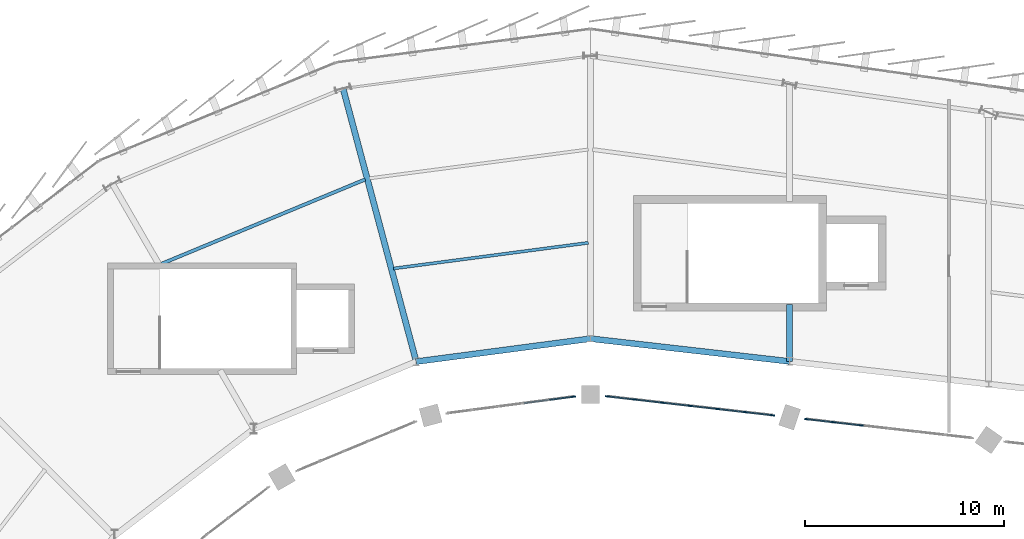
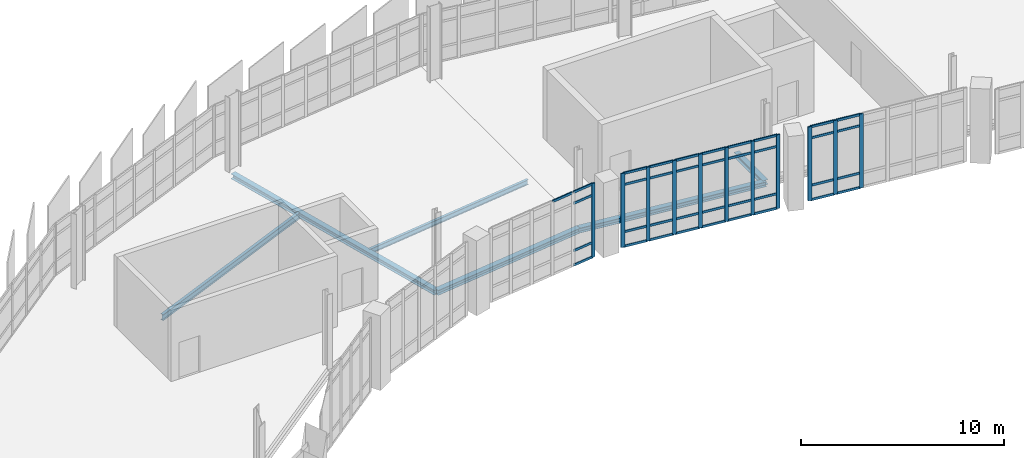
# One storey, part 35 of 67: 48 members, 6 beams, 3 elements without a shape of their own.
"""IFC4 building model written with IfcOpenShell, lengths in metres."""

from ifc_helpers import new_model, si_unit, direction, frame, origin, origin_2d, place, context, subcontext, project, spatial, rectangle, i_section, extrude, material, layer, layer_set, material_profile, profile_set, type_object, element, aggregate, save


model = new_model("IFC4")

# Units and contexts
model_context = context("Model", 3, precision=1e-05, world=origin(), true_north=direction((0.0, 1.0)))
body_context = subcontext(model_context, "Body", "Model", "MODEL_VIEW")
ifc_project = project(units=[si_unit("LENGTHUNIT", "METRE"), si_unit("AREAUNIT", "SQUARE_METRE"), si_unit("VOLUMEUNIT", "CUBIC_METRE"), si_unit("PLANEANGLEUNIT", "RADIAN"), si_unit("MASSUNIT", "GRAM", prefix="KILO")], contexts=[model_context])

# Site, building, storey
site_placement = place(None, origin())
site = spatial("IfcSite", under=ifc_project, at=site_placement, CompositionType="ELEMENT")
building_placement = place(site_placement, origin())
building = spatial("IfcBuilding", under=site, at=building_placement, Name="Sohan Crest Arena", CompositionType="ELEMENT")
storey_placement = place(building_placement, frame((0.0, 0.0, 22.5)))
storey = spatial("IfcBuildingStorey", under=building, at=storey_placement, Name="L05", CompositionType="ELEMENT", Elevation=22.5)

# Curtain wall, member
ifc_material_1 = material(Name="Thermally broken anodised aluminium", Category="aluminium")
ifc_layer = layer(ifc_material_1, 0.18994140625, Name="Thermally broken anodised aluminium")
ifc_layer_set = layer_set([ifc_layer], Name="Thermally broken anodised aluminium")
curtain_wall_type = type_object("IfcCurtainWallType", Name="ARC-CW05", PredefinedType="NOTDEFINED", material=ifc_layer_set)
curtain_wall_1_placement = place(storey_placement, origin())
curtain_wall_1 = element("IfcCurtainWall", 1, at=curtain_wall_1_placement, inside=storey, type_object=curtain_wall_type, Name="Unitised curtain wall CW-164", PredefinedType="NOTDEFINED")
ifc_material_profile_1 = material_profile(ifc_material_1, rectangle(XDim=0.070068359375, YDim=0.199951171875, at=origin_2d()), Name="ALU-MULL 70x200")
ifc_profile_set_1 = profile_set([ifc_material_profile_1], Name="Thermally broken anodised aluminium")
member_type_1 = type_object("IfcMemberType", Name="ARC-CW-ML03", PredefinedType="MULLION", material=ifc_profile_set_1)
member_1_placement = place(storey_placement, frame((97.15234375, 108.888427734375, 0.0), z_axis=(0.0, 0.0, 1.0), x_axis=(0.130498613419, -0.991448491802, 0.0)))
member_1 = element("IfcMember", 2, at=member_1_placement, type_object=member_type_1, Name="CW-164 mullion 1", PredefinedType="MULLION", context=body_context, shape_type="SweptSolid", body=[
    extrude(rectangle(XDim=0.070068359375, YDim=0.199951171875, at=origin_2d()), origin(), (0.0, 0.0, 1.0), 4.449951171875),
])

# Curtain wall, members
curtain_wall_2_placement = place(storey_placement, origin())
curtain_wall_2 = element("IfcCurtainWall", 3, at=curtain_wall_2_placement, inside=storey, type_object=curtain_wall_type, Name="Unitised curtain wall CW-199", PredefinedType="NOTDEFINED")
member_2_placement = place(storey_placement, frame((111.60498046875, 107.445068359375, 0.0), z_axis=(0.0, 0.0, 1.0), x_axis=(-0.11359680696, -0.993526932422, 0.0)))
member_2 = element("IfcMember", 4, at=member_2_placement, type_object=member_type_1, Name="CW-199 mullion 5", PredefinedType="MULLION", context=body_context, shape_type="SweptSolid", body=[
    extrude(rectangle(XDim=0.070068359375, YDim=0.199951171875, at=origin_2d()), origin(), (0.0, 0.0, 1.0), 4.449951171875),
])
member_3_placement = place(storey_placement, frame((110.2099609375, 107.6044921875, 0.0), z_axis=(0.0, 0.0, 1.0), x_axis=(-0.11359680696, -0.993526932422, 0.0)))
member_3 = element("IfcMember", 5, at=member_3_placement, type_object=member_type_1, Name="CW-199 mullion 6", PredefinedType="MULLION", context=body_context, shape_type="SweptSolid", body=[
    extrude(rectangle(XDim=0.070068359375, YDim=0.199951171875, at=origin_2d()), origin(), (0.0, 0.0, 1.0), 4.449951171875),
])
member_4_placement = place(storey_placement, frame((108.849853515625, 107.760009765625, 0.0), z_axis=(0.0, 0.0, 1.0), x_axis=(-0.11359680696, -0.993526932422, 0.0)))
member_4 = element("IfcMember", 6, at=member_4_placement, type_object=member_type_1, Name="CW-199 mullion 7", PredefinedType="MULLION", context=body_context, shape_type="SweptSolid", body=[
    extrude(rectangle(XDim=0.070068359375, YDim=0.199951171875, at=origin_2d()), origin(), (0.0, 0.0, 1.0), 4.449951171875),
])

curtain_wall_3_placement = place(storey_placement, origin())
curtain_wall_3 = element("IfcCurtainWall", 7, at=curtain_wall_3_placement, inside=storey, type_object=curtain_wall_type, Name="Unitised curtain wall CW-200", PredefinedType="NOTDEFINED")
member_5_placement = place(storey_placement, frame((107.150146484375, 107.953857421875, 0.0), z_axis=(0.0, 0.0, 1.0), x_axis=(-0.11359680696, -0.993526932422, 0.0)))
member_5 = element("IfcMember", 8, at=member_5_placement, type_object=member_type_1, Name="CW-200 mullion 1", PredefinedType="MULLION", context=body_context, shape_type="SweptSolid", body=[
    extrude(rectangle(XDim=0.070068359375, YDim=0.199951171875, at=origin_2d()), origin(), (0.0, 0.0, 1.0), 4.449951171875),
])
member_6_placement = place(storey_placement, frame((105.7900390625, 108.109619140625, 0.0), z_axis=(0.0, 0.0, 1.0), x_axis=(-0.11359680696, -0.993526932422, 0.0)))
member_6 = element("IfcMember", 9, at=member_6_placement, type_object=member_type_1, Name="CW-200 mullion 2", PredefinedType="MULLION", context=body_context, shape_type="SweptSolid", body=[
    extrude(rectangle(XDim=0.070068359375, YDim=0.199951171875, at=origin_2d()), origin(), (0.0, 0.0, 1.0), 4.449951171875),
])
member_7_placement = place(storey_placement, frame((104.39501953125, 108.26904296875, 0.0), z_axis=(0.0, 0.0, 1.0), x_axis=(-0.11359680696, -0.993526932422, 0.0)))
member_7 = element("IfcMember", 10, at=member_7_placement, type_object=member_type_1, Name="CW-200 mullion 3", PredefinedType="MULLION", context=body_context, shape_type="SweptSolid", body=[
    extrude(rectangle(XDim=0.070068359375, YDim=0.199951171875, at=origin_2d()), origin(), (0.0, 0.0, 1.0), 4.449951171875),
])
member_8_placement = place(storey_placement, frame((103.0, 108.428466796875, 0.0), z_axis=(0.0, 0.0, 1.0), x_axis=(-0.11359680696, -0.993526932422, 0.0)))
member_8 = element("IfcMember", 11, at=member_8_placement, type_object=member_type_1, Name="CW-200 mullion 4", PredefinedType="MULLION", context=body_context, shape_type="SweptSolid", body=[
    extrude(rectangle(XDim=0.070068359375, YDim=0.199951171875, at=origin_2d()), origin(), (0.0, 0.0, 1.0), 4.449951171875),
])
member_9_placement = place(storey_placement, frame((101.60498046875, 108.587890625, 0.0), z_axis=(0.0, 0.0, 1.0), x_axis=(-0.11359680696, -0.993526932422, 0.0)))
member_9 = element("IfcMember", 12, at=member_9_placement, type_object=member_type_1, Name="CW-200 mullion 5", PredefinedType="MULLION", context=body_context, shape_type="SweptSolid", body=[
    extrude(rectangle(XDim=0.070068359375, YDim=0.199951171875, at=origin_2d()), origin(), (0.0, 0.0, 1.0), 4.449951171875),
])
member_10_placement = place(storey_placement, frame((100.2099609375, 108.74755859375, 0.0), z_axis=(0.0, 0.0, 1.0), x_axis=(-0.11359680696, -0.993526932422, 0.0)))
member_10 = element("IfcMember", 13, at=member_10_placement, type_object=member_type_1, Name="CW-200 mullion 6", PredefinedType="MULLION", context=body_context, shape_type="SweptSolid", body=[
    extrude(rectangle(XDim=0.070068359375, YDim=0.199951171875, at=origin_2d()), origin(), (0.0, 0.0, 1.0), 4.449951171875),
])
member_11_placement = place(storey_placement, frame((98.849853515625, 108.903076171875, 0.0), z_axis=(0.0, 0.0, 1.0), x_axis=(-0.11359680696, -0.993526932422, 0.0)))
member_11 = element("IfcMember", 14, at=member_11_placement, type_object=member_type_1, Name="CW-200 mullion 7", PredefinedType="MULLION", context=body_context, shape_type="SweptSolid", body=[
    extrude(rectangle(XDim=0.070068359375, YDim=0.199951171875, at=origin_2d()), origin(), (0.0, 0.0, 1.0), 4.449951171875),
])

# Member
ifc_material_profile_2 = material_profile(ifc_material_1, rectangle(XDim=0.06494140625, YDim=0.139892578125, at=origin_2d()), Name="ALU-TRAN 65x140")
ifc_profile_set_2 = profile_set([ifc_material_profile_2], Name="Thermally broken anodised aluminium")
member_type_2 = type_object("IfcMemberType", Name="ARC-CW-TR02", PredefinedType="USERDEFINED", material=ifc_profile_set_2)
member_12_placement = place(storey_placement, frame((97.11767578125, 108.8837890625, 0.032470703125), z_axis=(-0.991465507922, -0.130369270153, 0.0), x_axis=(0.130369270153, -0.991465507922, 0.0)))
member_12 = element("IfcMember", 15, at=member_12_placement, type_object=member_type_2, Name="CW-164 transom 1.1", ObjectType="TRANSOM", PredefinedType="USERDEFINED", context=body_context, shape_type="SweptSolid", body=[
    extrude(rectangle(XDim=0.06494140625, YDim=0.139892578125, at=origin_2d()), origin(), (0.0, 0.0, 1.0), 1.185302734375),
])

member_13_placement = place(storey_placement, frame((97.11767578125, 108.8837890625, 0.89990234375), z_axis=(-0.991465507922, -0.130369270153, 0.0), x_axis=(0.130369270153, -0.991465507922, 0.0)))
member_13 = element("IfcMember", 16, at=member_13_placement, type_object=member_type_2, Name="CW-164 transom 1.2", ObjectType="TRANSOM", PredefinedType="USERDEFINED", context=body_context, shape_type="SweptSolid", body=[
    extrude(rectangle(XDim=0.06494140625, YDim=0.139892578125, at=origin_2d()), origin(), (0.0, 0.0, 1.0), 1.185302734375),
])

member_14_placement = place(storey_placement, frame((97.11767578125, 108.8837890625, 3.75), z_axis=(-0.991465507922, -0.130369270153, 0.0), x_axis=(0.130369270153, -0.991465507922, 0.0)))
member_14 = element("IfcMember", 17, at=member_14_placement, type_object=member_type_2, Name="CW-164 transom 1.3", ObjectType="TRANSOM", PredefinedType="USERDEFINED", context=body_context, shape_type="SweptSolid", body=[
    extrude(rectangle(XDim=0.06494140625, YDim=0.139892578125, at=origin_2d()), origin(), (0.0, 0.0, 1.0), 1.185302734375),
])

member_15_placement = place(storey_placement, frame((97.11767578125, 108.8837890625, 4.41748046875), z_axis=(-0.991465507922, -0.130369270153, 0.0), x_axis=(0.130369270153, -0.991465507922, 0.0)))
member_15 = element("IfcMember", 18, at=member_15_placement, type_object=member_type_2, Name="CW-164 transom 1.4", ObjectType="TRANSOM", PredefinedType="USERDEFINED", context=body_context, shape_type="SweptSolid", body=[
    extrude(rectangle(XDim=0.06494140625, YDim=0.139892578125, at=origin_2d()), origin(), (0.0, 0.0, 1.0), 1.185302734375),
])

member_16_placement = place(storey_placement, frame((95.872802734375, 108.719970703125, 4.41748046875), z_axis=(-0.991457018973, -0.130433812827, 0.0), x_axis=(0.130433812827, -0.991457018973, 0.0)))
member_16 = element("IfcMember", 19, at=member_16_placement, type_object=member_type_2, Name="CW-164 transom 2.4", ObjectType="TRANSOM", PredefinedType="USERDEFINED", context=body_context, shape_type="SweptSolid", body=[
    extrude(rectangle(XDim=0.06494140625, YDim=0.139892578125, at=origin_2d()), origin(), (0.0, 0.0, 1.0), 1.220458984375),
])

aggregate(curtain_wall_1, [member_1, member_12, member_13, member_14, member_15, member_16])

member_17_placement = place(storey_placement, frame((111.5703125, 107.448974609375, 0.032470703125), z_axis=(-0.993521460563, 0.113644654082, 0.0), x_axis=(-0.113644654082, -0.993521460563, 0.0)))
member_17 = element("IfcMember", 20, at=member_17_placement, type_object=member_type_2, Name="CW-199 transom 5.1", ObjectType="TRANSOM", PredefinedType="USERDEFINED", context=body_context, shape_type="SweptSolid", body=[
    extrude(rectangle(XDim=0.06494140625, YDim=0.139892578125, at=origin_2d()), origin(), (0.0, 0.0, 1.0), 1.333984375),
])

member_18_placement = place(storey_placement, frame((111.5703125, 107.448974609375, 0.89990234375), z_axis=(-0.993521460563, 0.113644654082, 0.0), x_axis=(-0.113644654082, -0.993521460563, 0.0)))
member_18 = element("IfcMember", 21, at=member_18_placement, type_object=member_type_2, Name="CW-199 transom 5.2", ObjectType="TRANSOM", PredefinedType="USERDEFINED", context=body_context, shape_type="SweptSolid", body=[
    extrude(rectangle(XDim=0.06494140625, YDim=0.139892578125, at=origin_2d()), origin(), (0.0, 0.0, 1.0), 1.333984375),
])

member_19_placement = place(storey_placement, frame((111.5703125, 107.448974609375, 3.75), z_axis=(-0.993521460563, 0.113644654082, 0.0), x_axis=(-0.113644654082, -0.993521460563, 0.0)))
member_19 = element("IfcMember", 22, at=member_19_placement, type_object=member_type_2, Name="CW-199 transom 5.3", ObjectType="TRANSOM", PredefinedType="USERDEFINED", context=body_context, shape_type="SweptSolid", body=[
    extrude(rectangle(XDim=0.06494140625, YDim=0.139892578125, at=origin_2d()), origin(), (0.0, 0.0, 1.0), 1.333984375),
])

member_20_placement = place(storey_placement, frame((111.5703125, 107.448974609375, 4.41748046875), z_axis=(-0.993521460563, 0.113644654082, 0.0), x_axis=(-0.113644654082, -0.993521460563, 0.0)))
member_20 = element("IfcMember", 23, at=member_20_placement, type_object=member_type_2, Name="CW-199 transom 5.4", ObjectType="TRANSOM", PredefinedType="USERDEFINED", context=body_context, shape_type="SweptSolid", body=[
    extrude(rectangle(XDim=0.06494140625, YDim=0.139892578125, at=origin_2d()), origin(), (0.0, 0.0, 1.0), 1.333984375),
])

member_21_placement = place(storey_placement, frame((110.17529296875, 107.6083984375, 0.032470703125), z_axis=(-0.99351630859, 0.113689685398, 0.0), x_axis=(-0.113689685398, -0.99351630859, 0.0)))
member_21 = element("IfcMember", 24, at=member_21_placement, type_object=member_type_2, Name="CW-199 transom 6.1", ObjectType="TRANSOM", PredefinedType="USERDEFINED", context=body_context, shape_type="SweptSolid", body=[
    extrude(rectangle(XDim=0.06494140625, YDim=0.139892578125, at=origin_2d()), origin(), (0.0, 0.0, 1.0), 1.29931640625),
])

member_22_placement = place(storey_placement, frame((110.17529296875, 107.6083984375, 0.89990234375), z_axis=(-0.99351630859, 0.113689685398, 0.0), x_axis=(-0.113689685398, -0.99351630859, 0.0)))
member_22 = element("IfcMember", 25, at=member_22_placement, type_object=member_type_2, Name="CW-199 transom 6.2", ObjectType="TRANSOM", PredefinedType="USERDEFINED", context=body_context, shape_type="SweptSolid", body=[
    extrude(rectangle(XDim=0.06494140625, YDim=0.139892578125, at=origin_2d()), origin(), (0.0, 0.0, 1.0), 1.29931640625),
])

member_23_placement = place(storey_placement, frame((110.17529296875, 107.6083984375, 3.75), z_axis=(-0.99351630859, 0.113689685398, 0.0), x_axis=(-0.113689685398, -0.99351630859, 0.0)))
member_23 = element("IfcMember", 26, at=member_23_placement, type_object=member_type_2, Name="CW-199 transom 6.3", ObjectType="TRANSOM", PredefinedType="USERDEFINED", context=body_context, shape_type="SweptSolid", body=[
    extrude(rectangle(XDim=0.06494140625, YDim=0.139892578125, at=origin_2d()), origin(), (0.0, 0.0, 1.0), 1.29931640625),
])

member_24_placement = place(storey_placement, frame((110.17529296875, 107.6083984375, 4.41748046875), z_axis=(-0.99351630859, 0.113689685398, 0.0), x_axis=(-0.113689685398, -0.99351630859, 0.0)))
member_24 = element("IfcMember", 27, at=member_24_placement, type_object=member_type_2, Name="CW-199 transom 6.4", ObjectType="TRANSOM", PredefinedType="USERDEFINED", context=body_context, shape_type="SweptSolid", body=[
    extrude(rectangle(XDim=0.06494140625, YDim=0.139892578125, at=origin_2d()), origin(), (0.0, 0.0, 1.0), 1.29931640625),
])

aggregate(curtain_wall_2, [member_2, member_3, member_4, member_17, member_18, member_19, member_20, member_21, member_22, member_23, member_24])

member_25_placement = place(storey_placement, frame((107.115478515625, 107.9580078125, 0.032470703125), z_axis=(-0.993537517414, 0.113504191511, 0.0), x_axis=(-0.113504191511, -0.993537517414, 0.0)))
member_25 = element("IfcMember", 28, at=member_25_placement, type_object=member_type_2, Name="CW-200 transom 1.1", ObjectType="TRANSOM", PredefinedType="USERDEFINED", context=body_context, shape_type="SweptSolid", body=[
    extrude(rectangle(XDim=0.06494140625, YDim=0.139892578125, at=origin_2d()), origin(), (0.0, 0.0, 1.0), 1.299072265625),
])

member_26_placement = place(storey_placement, frame((107.115478515625, 107.9580078125, 0.89990234375), z_axis=(-0.993537517414, 0.113504191511, 0.0), x_axis=(-0.113504191511, -0.993537517414, 0.0)))
member_26 = element("IfcMember", 29, at=member_26_placement, type_object=member_type_2, Name="CW-200 transom 1.2", ObjectType="TRANSOM", PredefinedType="USERDEFINED", context=body_context, shape_type="SweptSolid", body=[
    extrude(rectangle(XDim=0.06494140625, YDim=0.139892578125, at=origin_2d()), origin(), (0.0, 0.0, 1.0), 1.299072265625),
])

member_27_placement = place(storey_placement, frame((107.115478515625, 107.9580078125, 3.75), z_axis=(-0.993537517414, 0.113504191511, 0.0), x_axis=(-0.113504191511, -0.993537517414, 0.0)))
member_27 = element("IfcMember", 30, at=member_27_placement, type_object=member_type_2, Name="CW-200 transom 1.3", ObjectType="TRANSOM", PredefinedType="USERDEFINED", context=body_context, shape_type="SweptSolid", body=[
    extrude(rectangle(XDim=0.06494140625, YDim=0.139892578125, at=origin_2d()), origin(), (0.0, 0.0, 1.0), 1.299072265625),
])

member_28_placement = place(storey_placement, frame((107.115478515625, 107.9580078125, 4.41748046875), z_axis=(-0.993537517414, 0.113504191511, 0.0), x_axis=(-0.113504191511, -0.993537517414, 0.0)))
member_28 = element("IfcMember", 31, at=member_28_placement, type_object=member_type_2, Name="CW-200 transom 1.4", ObjectType="TRANSOM", PredefinedType="USERDEFINED", context=body_context, shape_type="SweptSolid", body=[
    extrude(rectangle(XDim=0.06494140625, YDim=0.139892578125, at=origin_2d()), origin(), (0.0, 0.0, 1.0), 1.299072265625),
])

member_29_placement = place(storey_placement, frame((105.755126953125, 108.113525390625, 0.032470703125), z_axis=(-0.993521460563, 0.113644654082, 0.0), x_axis=(-0.113644654082, -0.993521460563, 0.0)))
member_29 = element("IfcMember", 32, at=member_29_placement, type_object=member_type_2, Name="CW-200 transom 2.1", ObjectType="TRANSOM", PredefinedType="USERDEFINED", context=body_context, shape_type="SweptSolid", body=[
    extrude(rectangle(XDim=0.06494140625, YDim=0.139892578125, at=origin_2d()), origin(), (0.0, 0.0, 1.0), 1.333984375),
])

member_30_placement = place(storey_placement, frame((105.755126953125, 108.113525390625, 0.89990234375), z_axis=(-0.993521460563, 0.113644654082, 0.0), x_axis=(-0.113644654082, -0.993521460563, 0.0)))
member_30 = element("IfcMember", 33, at=member_30_placement, type_object=member_type_2, Name="CW-200 transom 2.2", ObjectType="TRANSOM", PredefinedType="USERDEFINED", context=body_context, shape_type="SweptSolid", body=[
    extrude(rectangle(XDim=0.06494140625, YDim=0.139892578125, at=origin_2d()), origin(), (0.0, 0.0, 1.0), 1.333984375),
])

member_31_placement = place(storey_placement, frame((105.755126953125, 108.113525390625, 3.75), z_axis=(-0.993521460563, 0.113644654082, 0.0), x_axis=(-0.113644654082, -0.993521460563, 0.0)))
member_31 = element("IfcMember", 34, at=member_31_placement, type_object=member_type_2, Name="CW-200 transom 2.3", ObjectType="TRANSOM", PredefinedType="USERDEFINED", context=body_context, shape_type="SweptSolid", body=[
    extrude(rectangle(XDim=0.06494140625, YDim=0.139892578125, at=origin_2d()), origin(), (0.0, 0.0, 1.0), 1.333984375),
])

member_32_placement = place(storey_placement, frame((105.755126953125, 108.113525390625, 4.41748046875), z_axis=(-0.993521460563, 0.113644654082, 0.0), x_axis=(-0.113644654082, -0.993521460563, 0.0)))
member_32 = element("IfcMember", 35, at=member_32_placement, type_object=member_type_2, Name="CW-200 transom 2.4", ObjectType="TRANSOM", PredefinedType="USERDEFINED", context=body_context, shape_type="SweptSolid", body=[
    extrude(rectangle(XDim=0.06494140625, YDim=0.139892578125, at=origin_2d()), origin(), (0.0, 0.0, 1.0), 1.333984375),
])

member_33_placement = place(storey_placement, frame((104.360107421875, 108.27294921875, 0.032470703125), z_axis=(-0.993521460563, 0.113644654082, 0.0), x_axis=(-0.113644654082, -0.993521460563, 0.0)))
member_33 = element("IfcMember", 36, at=member_33_placement, type_object=member_type_2, Name="CW-200 transom 3.1", ObjectType="TRANSOM", PredefinedType="USERDEFINED", context=body_context, shape_type="SweptSolid", body=[
    extrude(rectangle(XDim=0.06494140625, YDim=0.139892578125, at=origin_2d()), origin(), (0.0, 0.0, 1.0), 1.333984375),
])

member_34_placement = place(storey_placement, frame((104.360107421875, 108.27294921875, 0.89990234375), z_axis=(-0.993521460563, 0.113644654082, 0.0), x_axis=(-0.113644654082, -0.993521460563, 0.0)))
member_34 = element("IfcMember", 37, at=member_34_placement, type_object=member_type_2, Name="CW-200 transom 3.2", ObjectType="TRANSOM", PredefinedType="USERDEFINED", context=body_context, shape_type="SweptSolid", body=[
    extrude(rectangle(XDim=0.06494140625, YDim=0.139892578125, at=origin_2d()), origin(), (0.0, 0.0, 1.0), 1.333984375),
])

member_35_placement = place(storey_placement, frame((104.360107421875, 108.27294921875, 3.75), z_axis=(-0.993521460563, 0.113644654082, 0.0), x_axis=(-0.113644654082, -0.993521460563, 0.0)))
member_35 = element("IfcMember", 38, at=member_35_placement, type_object=member_type_2, Name="CW-200 transom 3.3", ObjectType="TRANSOM", PredefinedType="USERDEFINED", context=body_context, shape_type="SweptSolid", body=[
    extrude(rectangle(XDim=0.06494140625, YDim=0.139892578125, at=origin_2d()), origin(), (0.0, 0.0, 1.0), 1.333984375),
])

member_36_placement = place(storey_placement, frame((104.360107421875, 108.27294921875, 4.41748046875), z_axis=(-0.993521460563, 0.113644654082, 0.0), x_axis=(-0.113644654082, -0.993521460563, 0.0)))
member_36 = element("IfcMember", 39, at=member_36_placement, type_object=member_type_2, Name="CW-200 transom 3.4", ObjectType="TRANSOM", PredefinedType="USERDEFINED", context=body_context, shape_type="SweptSolid", body=[
    extrude(rectangle(XDim=0.06494140625, YDim=0.139892578125, at=origin_2d()), origin(), (0.0, 0.0, 1.0), 1.333984375),
])

member_37_placement = place(storey_placement, frame((102.96533203125, 108.432373046875, 0.032470703125), z_axis=(-0.993521460563, 0.113644654082, 0.0), x_axis=(-0.113644654082, -0.993521460563, 0.0)))
member_37 = element("IfcMember", 40, at=member_37_placement, type_object=member_type_2, Name="CW-200 transom 4.1", ObjectType="TRANSOM", PredefinedType="USERDEFINED", context=body_context, shape_type="SweptSolid", body=[
    extrude(rectangle(XDim=0.06494140625, YDim=0.139892578125, at=origin_2d()), origin(), (0.0, 0.0, 1.0), 1.333984375),
])

member_38_placement = place(storey_placement, frame((102.96533203125, 108.432373046875, 0.89990234375), z_axis=(-0.993521460563, 0.113644654082, 0.0), x_axis=(-0.113644654082, -0.993521460563, 0.0)))
member_38 = element("IfcMember", 41, at=member_38_placement, type_object=member_type_2, Name="CW-200 transom 4.2", ObjectType="TRANSOM", PredefinedType="USERDEFINED", context=body_context, shape_type="SweptSolid", body=[
    extrude(rectangle(XDim=0.06494140625, YDim=0.139892578125, at=origin_2d()), origin(), (0.0, 0.0, 1.0), 1.333984375),
])

member_39_placement = place(storey_placement, frame((102.96533203125, 108.432373046875, 3.75), z_axis=(-0.993521460563, 0.113644654082, 0.0), x_axis=(-0.113644654082, -0.993521460563, 0.0)))
member_39 = element("IfcMember", 42, at=member_39_placement, type_object=member_type_2, Name="CW-200 transom 4.3", ObjectType="TRANSOM", PredefinedType="USERDEFINED", context=body_context, shape_type="SweptSolid", body=[
    extrude(rectangle(XDim=0.06494140625, YDim=0.139892578125, at=origin_2d()), origin(), (0.0, 0.0, 1.0), 1.333984375),
])

member_40_placement = place(storey_placement, frame((102.96533203125, 108.432373046875, 4.41748046875), z_axis=(-0.993521460563, 0.113644654082, 0.0), x_axis=(-0.113644654082, -0.993521460563, 0.0)))
member_40 = element("IfcMember", 43, at=member_40_placement, type_object=member_type_2, Name="CW-200 transom 4.4", ObjectType="TRANSOM", PredefinedType="USERDEFINED", context=body_context, shape_type="SweptSolid", body=[
    extrude(rectangle(XDim=0.06494140625, YDim=0.139892578125, at=origin_2d()), origin(), (0.0, 0.0, 1.0), 1.333984375),
])

member_41_placement = place(storey_placement, frame((101.5703125, 108.592041015625, 0.032470703125), z_axis=(-0.993542107108, 0.113464009285, 0.0), x_axis=(-0.113464009285, -0.993542107108, 0.0)))
member_41 = element("IfcMember", 44, at=member_41_placement, type_object=member_type_2, Name="CW-200 transom 5.1", ObjectType="TRANSOM", PredefinedType="USERDEFINED", context=body_context, shape_type="SweptSolid", body=[
    extrude(rectangle(XDim=0.06494140625, YDim=0.139892578125, at=origin_2d()), origin(), (0.0, 0.0, 1.0), 1.333984375),
])

member_42_placement = place(storey_placement, frame((101.5703125, 108.592041015625, 0.89990234375), z_axis=(-0.993542107108, 0.113464009285, 0.0), x_axis=(-0.113464009285, -0.993542107108, 0.0)))
member_42 = element("IfcMember", 45, at=member_42_placement, type_object=member_type_2, Name="CW-200 transom 5.2", ObjectType="TRANSOM", PredefinedType="USERDEFINED", context=body_context, shape_type="SweptSolid", body=[
    extrude(rectangle(XDim=0.06494140625, YDim=0.139892578125, at=origin_2d()), origin(), (0.0, 0.0, 1.0), 1.333984375),
])

member_43_placement = place(storey_placement, frame((101.5703125, 108.592041015625, 3.75), z_axis=(-0.993542107108, 0.113464009285, 0.0), x_axis=(-0.113464009285, -0.993542107108, 0.0)))
member_43 = element("IfcMember", 46, at=member_43_placement, type_object=member_type_2, Name="CW-200 transom 5.3", ObjectType="TRANSOM", PredefinedType="USERDEFINED", context=body_context, shape_type="SweptSolid", body=[
    extrude(rectangle(XDim=0.06494140625, YDim=0.139892578125, at=origin_2d()), origin(), (0.0, 0.0, 1.0), 1.333984375),
])

member_44_placement = place(storey_placement, frame((101.5703125, 108.592041015625, 4.41748046875), z_axis=(-0.993542107108, 0.113464009285, 0.0), x_axis=(-0.113464009285, -0.993542107108, 0.0)))
member_44 = element("IfcMember", 47, at=member_44_placement, type_object=member_type_2, Name="CW-200 transom 5.4", ObjectType="TRANSOM", PredefinedType="USERDEFINED", context=body_context, shape_type="SweptSolid", body=[
    extrude(rectangle(XDim=0.06494140625, YDim=0.139892578125, at=origin_2d()), origin(), (0.0, 0.0, 1.0), 1.333984375),
])

member_45_placement = place(storey_placement, frame((100.17529296875, 108.75146484375, 0.032470703125), z_axis=(-0.99351630859, 0.113689685398, 0.0), x_axis=(-0.113689685398, -0.99351630859, 0.0)))
member_45 = element("IfcMember", 48, at=member_45_placement, type_object=member_type_2, Name="CW-200 transom 6.1", ObjectType="TRANSOM", PredefinedType="USERDEFINED", context=body_context, shape_type="SweptSolid", body=[
    extrude(rectangle(XDim=0.06494140625, YDim=0.139892578125, at=origin_2d()), origin(), (0.0, 0.0, 1.0), 1.29931640625),
])

member_46_placement = place(storey_placement, frame((100.17529296875, 108.75146484375, 0.89990234375), z_axis=(-0.99351630859, 0.113689685398, 0.0), x_axis=(-0.113689685398, -0.99351630859, 0.0)))
member_46 = element("IfcMember", 49, at=member_46_placement, type_object=member_type_2, Name="CW-200 transom 6.2", ObjectType="TRANSOM", PredefinedType="USERDEFINED", context=body_context, shape_type="SweptSolid", body=[
    extrude(rectangle(XDim=0.06494140625, YDim=0.139892578125, at=origin_2d()), origin(), (0.0, 0.0, 1.0), 1.29931640625),
])

member_47_placement = place(storey_placement, frame((100.17529296875, 108.75146484375, 3.75), z_axis=(-0.99351630859, 0.113689685398, 0.0), x_axis=(-0.113689685398, -0.99351630859, 0.0)))
member_47 = element("IfcMember", 50, at=member_47_placement, type_object=member_type_2, Name="CW-200 transom 6.3", ObjectType="TRANSOM", PredefinedType="USERDEFINED", context=body_context, shape_type="SweptSolid", body=[
    extrude(rectangle(XDim=0.06494140625, YDim=0.139892578125, at=origin_2d()), origin(), (0.0, 0.0, 1.0), 1.29931640625),
])

member_48_placement = place(storey_placement, frame((100.17529296875, 108.75146484375, 4.41748046875), z_axis=(-0.99351630859, 0.113689685398, 0.0), x_axis=(-0.113689685398, -0.99351630859, 0.0)))
member_48 = element("IfcMember", 51, at=member_48_placement, type_object=member_type_2, Name="CW-200 transom 6.4", ObjectType="TRANSOM", PredefinedType="USERDEFINED", context=body_context, shape_type="SweptSolid", body=[
    extrude(rectangle(XDim=0.06494140625, YDim=0.139892578125, at=origin_2d()), origin(), (0.0, 0.0, 1.0), 1.29931640625),
])

aggregate(curtain_wall_3, [member_5, member_6, member_7, member_8, member_9, member_10, member_11, member_25, member_26, member_27, member_28, member_29, member_30, member_31, member_32, member_33, member_34, member_35, member_36, member_37, member_38, member_39, member_40, member_41, member_42, member_43, member_44, member_45, member_46, member_47, member_48])

# Beams
ifc_material_2 = material(Name="Steel S355", Category="steel")
ifc_material_profile_3 = material_profile(ifc_material_2, i_section(OverallWidth=0.14990234375, OverallDepth=0.300048828125, WebThickness=0.007080078125, FlangeThickness=0.0107421875, at=origin_2d()), Name="IPE 300")
ifc_profile_set_3 = profile_set([ifc_material_profile_3], Name="Steel S355")
beam_type_1 = type_object("IfcBeamType", Name="STR-BM-B01", PredefinedType="JOIST", material=ifc_profile_set_3)
beam_1_placement = place(storey_placement, frame((97.89111328125, 116.614013671875, -0.39990234375), z_axis=(-0.991425208829, -0.130675381378, 0.0), x_axis=(0.130675381378, -0.991425208829, 0.0)))
element("IfcBeam", 52, at=beam_1_placement, inside=storey, type_object=beam_type_1, Name="Structural beam J-L05-1710", PredefinedType="JOIST", context=body_context, shape_type="SweptSolid", body=[
    extrude(i_section(OverallWidth=0.14990234375, OverallDepth=0.300048828125, WebThickness=0.007080078125, FlangeThickness=0.0107421875, at=origin_2d()), origin(), (0.0, 0.0, 1.0), 9.864501953125),
])
ifc_material_profile_4 = material_profile(ifc_material_2, i_section(OverallWidth=0.169921875, OverallDepth=0.360107421875, WebThickness=0.008056640625, FlangeThickness=0.0126953125, at=origin_2d()), Name="IPE 360")
ifc_profile_set_4 = profile_set([ifc_material_profile_4], Name="Steel S355")
beam_type_2 = type_object("IfcBeamType", Name="STR-BM-B02", PredefinedType="JOIST", material=ifc_profile_set_4)
beam_2_placement = place(storey_placement, frame((86.68798828125, 119.7958984375, -0.429931640625), z_axis=(-0.923874316241, -0.382696025312, 0.0), x_axis=(0.382696025312, -0.923874316241, 0.0)))
element("IfcBeam", 53, at=beam_2_placement, inside=storey, type_object=beam_type_2, Name="Structural beam J-L05-1715", PredefinedType="JOIST", context=body_context, shape_type="SweptSolid", body=[
    extrude(i_section(OverallWidth=0.169921875, OverallDepth=0.360107421875, WebThickness=0.008056640625, FlangeThickness=0.0126953125, at=origin_2d()), origin(), (0.0, 0.0, 1.0), 11.0869140625),
])
ifc_material_profile_5 = material_profile(ifc_material_2, i_section(OverallWidth=0.300048828125, OverallDepth=0.300048828125, WebThickness=0.010986328125, FlangeThickness=0.01904296875, at=origin_2d()), Name="HEB 300")
ifc_profile_set_5 = profile_set([ifc_material_profile_5], Name="Steel S355")
beam_type_3 = type_object("IfcBeamType", Name="STR-BM-B12", PredefinedType="BEAM", material=ifc_profile_set_5)
beam_3_placement = place(storey_placement, frame((98.0, 111.800048828125, -0.39990234375), z_axis=(-0.991439032147, -0.130570461953, 0.0), x_axis=(0.130570461953, -0.991439032147, 0.0)))
element("IfcBeam", 54, at=beam_3_placement, inside=storey, type_object=beam_type_3, Name="Structural beam G-L05-1708", PredefinedType="BEAM", context=body_context, shape_type="SweptSolid", body=[
    extrude(i_section(OverallWidth=0.300048828125, OverallDepth=0.300048828125, WebThickness=0.010986328125, FlangeThickness=0.01904296875, at=origin_2d()), origin(), (0.0, 0.0, 1.0), 8.823486328125),
])
beam_4_placement = place(storey_placement, frame((89.251953125, 110.64794921875, -0.39990234375), z_axis=(-0.258808560729, 0.965928635508, 0.0), x_axis=(-0.965928635508, -0.258808560729, 0.0)))
element("IfcBeam", 55, at=beam_4_placement, inside=storey, type_object=beam_type_3, Name="Structural beam G-L05-1712", PredefinedType="BEAM", context=body_context, shape_type="SweptSolid", body=[
    extrude(i_section(OverallWidth=0.300048828125, OverallDepth=0.300048828125, WebThickness=0.010986328125, FlangeThickness=0.01904296875, at=origin_2d()), origin(), (0.0, 0.0, 1.0), 14.199951171875),
])
beam_5_placement = place(storey_placement, frame((108.0, 110.656982421875, -0.39990234375), z_axis=(0.0, 1.0, 0.0), x_axis=(-1.0, 0.0, 0.0)))
element("IfcBeam", 56, at=beam_5_placement, inside=storey, type_object=beam_type_3, Name="Structural beam G-L05-1860", PredefinedType="BEAM", context=body_context, shape_type="SweptSolid", body=[
    extrude(i_section(OverallWidth=0.300048828125, OverallDepth=0.300048828125, WebThickness=0.010986328125, FlangeThickness=0.01904296875, at=origin_2d()), origin(), (0.0, 0.0, 1.0), 2.863037109375),
])
beam_6_placement = place(storey_placement, frame((108.0, 110.656982421875, -0.39990234375), z_axis=(-0.99353032697, 0.113567114035, 0.0), x_axis=(-0.113567114035, -0.99353032697, 0.0)))
element("IfcBeam", 57, at=beam_6_placement, inside=storey, type_object=beam_type_3, Name="Structural beam G-L05-1862", PredefinedType="BEAM", context=body_context, shape_type="SweptSolid", body=[
    extrude(i_section(OverallWidth=0.300048828125, OverallDepth=0.300048828125, WebThickness=0.010986328125, FlangeThickness=0.01904296875, at=origin_2d()), origin(), (0.0, 0.0, 1.0), 10.065185546875),
])

save(model, "model.ifc")
